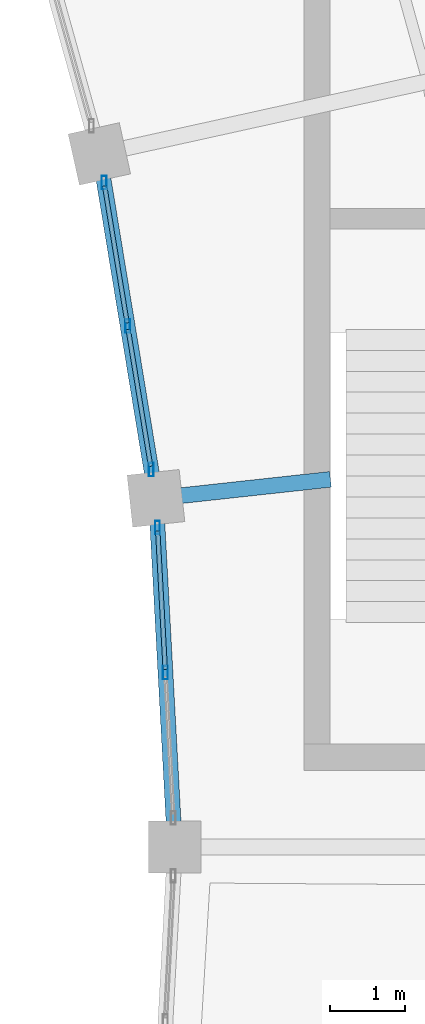
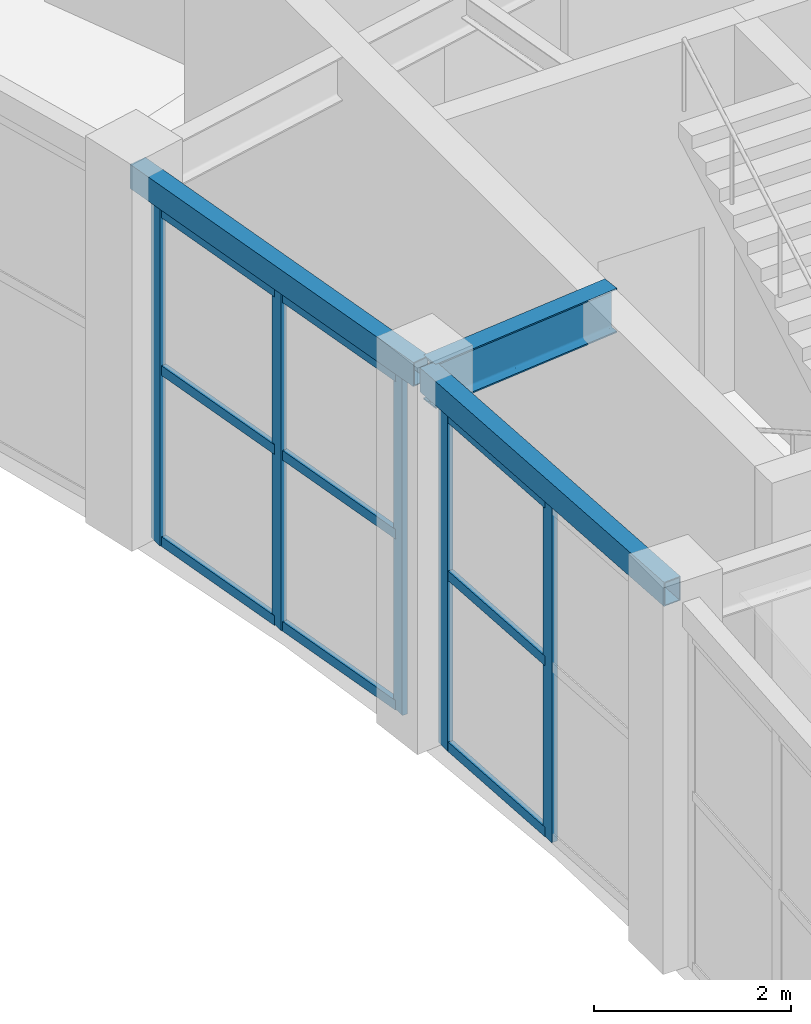
# One storey, part 58 of 100: 14 members, 3 beams, 2 elements without a shape of their own.
"""IFC4 building model written with IfcOpenShell, lengths in metres."""

from ifc_helpers import new_model, si_unit, direction, frame, origin, origin_2d, place, context, subcontext, project, spatial, hollow_rectangle, i_section, extrude, material, material_profile, profile_set, type_object, element, aggregate, save


model = new_model("IFC4")

# Units and contexts
model_context = context("Model", 3, precision=1e-05, world=origin(), true_north=direction((0.0, 1.0)))
body_context = subcontext(model_context, "Body", "Model", "MODEL_VIEW")
ifc_project = project(units=[si_unit("LENGTHUNIT", "METRE"), si_unit("AREAUNIT", "SQUARE_METRE"), si_unit("VOLUMEUNIT", "CUBIC_METRE"), si_unit("PLANEANGLEUNIT", "RADIAN"), si_unit("MASSUNIT", "GRAM", prefix="KILO")], contexts=[model_context])

# Site, building, storey
site_placement = place(None, origin())
site = spatial("IfcSite", under=ifc_project, at=site_placement, CompositionType="ELEMENT")
building_placement = place(site_placement, origin())
building = spatial("IfcBuilding", under=site, at=building_placement, Name="Tarnveldt Headland Concert Hall", CompositionType="ELEMENT")
storey_placement = place(building_placement, frame((0.0, 0.0, 4.800048828125)))
storey = spatial("IfcBuildingStorey", under=building, at=storey_placement, Name="L01", CompositionType="ELEMENT", Elevation=4.800048828125)

# Curtain wall, members
ifc_material_1 = material(Name="Marine-anodised aluminium EN AW-6063-T6", Category="aluminium")
curtain_wall_type = type_object("IfcCurtainWallType", Name="CW-C2", PredefinedType="NOTDEFINED", material=ifc_material_1)
curtain_wall_1_placement = place(storey_placement, origin())
curtain_wall_1 = element("IfcCurtainWall", 1, at=curtain_wall_1_placement, inside=storey, type_object=curtain_wall_type, Name="Curtain wall CW-L01-114", PredefinedType="NOTDEFINED")
ifc_material_profile_1 = material_profile(ifc_material_1, hollow_rectangle(XDim=0.06494140625, YDim=0.179931640625, WallThickness=0.00390625, at=origin_2d()), Name="ALU MULLION 65x180x4", Category="aluminium")
ifc_profile_set_1 = profile_set([ifc_material_profile_1], Name="Marine-anodised aluminium EN AW-6063-T6")
member_type_1 = type_object("IfcMemberType", Name="ML-180", PredefinedType="MULLION", material=ifc_profile_set_1)
member_1_placement = place(storey_placement, frame((160.373291015625, 62.330322265625, 0.0), z_axis=(0.0, 0.0, 1.0), x_axis=(1.0, 0.0, 0.0)))
member_1 = element("IfcMember", 2, at=member_1_placement, type_object=member_type_1, Name="Mullion CW-L01-114-2", PredefinedType="MULLION", context=body_context, shape_type="SweptSolid", body=[
    extrude(hollow_rectangle(XDim=0.06494140625, YDim=0.179931640625, WallThickness=0.00390625, at=origin_2d()), origin(), (0.0, 0.0, 1.0), 4.179931640625),
])
member_2_placement = place(storey_placement, frame((160.267822265625, 64.271240234375, 0.0), z_axis=(0.0, 0.0, 1.0), x_axis=(1.0, 0.0, 0.0)))
member_2 = element("IfcMember", 3, at=member_2_placement, type_object=member_type_1, Name="Mullion CW-L01-114-3", PredefinedType="MULLION", context=body_context, shape_type="SweptSolid", body=[
    extrude(hollow_rectangle(XDim=0.06494140625, YDim=0.179931640625, WallThickness=0.00390625, at=origin_2d()), origin(), (0.0, 0.0, 1.0), 4.179931640625),
])

curtain_wall_2_placement = place(storey_placement, origin())
curtain_wall_2 = element("IfcCurtainWall", 4, at=curtain_wall_2_placement, inside=storey, type_object=curtain_wall_type, Name="Curtain wall CW-L01-115", PredefinedType="NOTDEFINED")
member_3_placement = place(storey_placement, frame((160.183349609375, 65.04541015625, 0.0), z_axis=(0.0, 0.0, 1.0), x_axis=(1.0, 0.0, 0.0)))
member_3 = element("IfcMember", 5, at=member_3_placement, type_object=member_type_1, Name="Mullion CW-L01-115-1", PredefinedType="MULLION", context=body_context, shape_type="SweptSolid", body=[
    extrude(hollow_rectangle(XDim=0.06494140625, YDim=0.179931640625, WallThickness=0.00390625, at=origin_2d()), origin(), (0.0, 0.0, 1.0), 4.179931640625),
])
member_4_placement = place(storey_placement, frame((159.8681640625, 66.96337890625, 0.0), z_axis=(0.0, 0.0, 1.0), x_axis=(1.0, 0.0, 0.0)))
member_4 = element("IfcMember", 6, at=member_4_placement, type_object=member_type_1, Name="Mullion CW-L01-115-2", PredefinedType="MULLION", context=body_context, shape_type="SweptSolid", body=[
    extrude(hollow_rectangle(XDim=0.06494140625, YDim=0.179931640625, WallThickness=0.00390625, at=origin_2d()), origin(), (0.0, 0.0, 1.0), 4.179931640625),
])
member_5_placement = place(storey_placement, frame((159.552978515625, 68.88134765625, 0.0), z_axis=(0.0, 0.0, 1.0), x_axis=(1.0, 0.0, 0.0)))
member_5 = element("IfcMember", 7, at=member_5_placement, type_object=member_type_1, Name="Mullion CW-L01-115-3", PredefinedType="MULLION", context=body_context, shape_type="SweptSolid", body=[
    extrude(hollow_rectangle(XDim=0.06494140625, YDim=0.179931640625, WallThickness=0.00390625, at=origin_2d()), origin(), (0.0, 0.0, 1.0), 4.179931640625),
])

# Beams
ifc_material_2 = material(Name="Steel S355", Category="steel")
ifc_material_profile_2 = material_profile(ifc_material_2, i_section(OverallWidth=0.2099609375, OverallDepth=0.550048828125, WebThickness=0.010986328125, FlangeThickness=0.01708984375, FilletRadius=0.02392578125, at=origin_2d()), Name="IPE550", Category="steel")
ifc_profile_set_2 = profile_set([ifc_material_profile_2], Name="Steel S355")
beam_type_1 = type_object("IfcBeamType", Name="SB-IPE550", PredefinedType="BEAM", material=ifc_profile_set_2)
beam_1_placement = place(storey_placement, frame((160.306396484375, 64.6669921875, 4.264892578125), z_axis=(0.994101758136, 0.108451346104, 0.0), x_axis=(-0.108451346104, 0.994101758136, 0.0)))
element("IfcBeam", 8, at=beam_1_placement, inside=storey, type_object=beam_type_1, Name="Framing beam L01-805", PredefinedType="BEAM", context=body_context, shape_type="SweptSolid", body=[
    extrude(i_section(OverallWidth=0.2099609375, OverallDepth=0.550048828125, WebThickness=0.010986328125, FlangeThickness=0.01708984375, FilletRadius=0.02392578125, at=origin_2d()), origin(), (0.0, 0.0, 1.0), 2.287109375),
])
ifc_material_profile_3 = material_profile(ifc_material_2, hollow_rectangle(XDim=0.199951171875, YDim=0.300048828125, WallThickness=0.012451171875, at=origin_2d()), Name="RHS 300x200x12.5", Category="steel")
ifc_profile_set_3 = profile_set([ifc_material_profile_3], Name="Steel S355")
beam_type_2 = type_object("IfcBeamType", Name="SB-RHS300", PredefinedType="SPANDREL", material=ifc_profile_set_3)
beam_2_placement = place(storey_placement, frame((160.49658203125, 60.059814453125, 4.389892578125), z_axis=(-0.05422410232, 0.998528791136, 0.0), x_axis=(-0.998528791136, -0.05422410232, 0.0)))
element("IfcBeam", 9, at=beam_2_placement, inside=storey, type_object=beam_type_2, Name="Framing beam L01-800", PredefinedType="SPANDREL", context=body_context, shape_type="SweptSolid", body=[
    extrude(hollow_rectangle(XDim=0.199951171875, YDim=0.300048828125, WallThickness=0.012451171875, at=origin_2d()), origin(), (0.0, 0.0, 1.0), 4.54736328125),
])
beam_3_placement = place(storey_placement, frame((160.237060546875, 64.7197265625, 4.389892578125), z_axis=(-0.162187266023, 0.986759996524, 0.0), x_axis=(-0.986759996524, -0.162187266023, 0.0)))
element("IfcBeam", 10, at=beam_3_placement, inside=storey, type_object=beam_type_2, Name="Framing beam L01-807", PredefinedType="SPANDREL", context=body_context, shape_type="SweptSolid", body=[
    extrude(hollow_rectangle(XDim=0.199951171875, YDim=0.300048828125, WallThickness=0.012451171875, at=origin_2d()), origin(), (0.0, 0.0, 1.0), 4.547607421875),
])

# Member
ifc_material_profile_4 = material_profile(ifc_material_1, hollow_rectangle(XDim=0.06005859375, YDim=0.1201171875, WallThickness=0.00390625, at=origin_2d()), Name="ALU TRANSOM 60x120x4", Category="aluminium")
ifc_profile_set_4 = profile_set([ifc_material_profile_4], Name="Marine-anodised aluminium EN AW-6063-T6")
member_type_2 = type_object("IfcMemberType", Name="TR-110", PredefinedType="MEMBER", material=ifc_profile_set_4)
member_6_placement = place(storey_placement, frame((160.370849609375, 62.374755859375, 0.050048828125), z_axis=(-0.054230650598, 0.998528435517, 0.0), x_axis=(-0.998528435517, -0.054230650598, 0.0)))
member_6 = element("IfcMember", 11, at=member_6_placement, type_object=member_type_2, Name="Transom CW-L01-114-2-1", PredefinedType="MEMBER", context=body_context, shape_type="SweptSolid", body=[
    extrude(hollow_rectangle(XDim=0.06005859375, YDim=0.1201171875, WallThickness=0.00390625, at=origin_2d()), origin(), (0.0, 0.0, 1.0), 1.854736328125),
])

member_7_placement = place(storey_placement, frame((160.370849609375, 62.374755859375, 2.173583984375), z_axis=(-0.054230650598, 0.998528435517, 0.0), x_axis=(-0.998528435517, -0.054230650598, 0.0)))
member_7 = element("IfcMember", 12, at=member_7_placement, type_object=member_type_2, Name="Transom CW-L01-114-2-2", PredefinedType="MEMBER", context=body_context, shape_type="SweptSolid", body=[
    extrude(hollow_rectangle(XDim=0.06005859375, YDim=0.1201171875, WallThickness=0.00390625, at=origin_2d()), origin(), (0.0, 0.0, 1.0), 1.854736328125),
])

member_8_placement = place(storey_placement, frame((160.370849609375, 62.374755859375, 4.1298828125), z_axis=(-0.054230650598, 0.998528435517, 0.0), x_axis=(-0.998528435517, -0.054230650598, 0.0)))
member_8 = element("IfcMember", 13, at=member_8_placement, type_object=member_type_2, Name="Transom CW-L01-114-2-3", PredefinedType="MEMBER", context=body_context, shape_type="SweptSolid", body=[
    extrude(hollow_rectangle(XDim=0.06005859375, YDim=0.1201171875, WallThickness=0.00390625, at=origin_2d()), origin(), (0.0, 0.0, 1.0), 1.854736328125),
])

aggregate(curtain_wall_1, [member_1, member_2, member_6, member_7, member_8])

member_9_placement = place(storey_placement, frame((160.17626953125, 65.08935546875, 0.050048828125), z_axis=(-0.162178507112, 0.986761436129, 0.0), x_axis=(-0.986761436129, -0.162178507112, 0.0)))
member_9 = element("IfcMember", 14, at=member_9_placement, type_object=member_type_2, Name="Transom CW-L01-115-1-1", PredefinedType="MEMBER", context=body_context, shape_type="SweptSolid", body=[
    extrude(hollow_rectangle(XDim=0.06005859375, YDim=0.1201171875, WallThickness=0.00390625, at=origin_2d()), origin(), (0.0, 0.0, 1.0), 1.854736328125),
])

member_10_placement = place(storey_placement, frame((160.17626953125, 65.08935546875, 2.173583984375), z_axis=(-0.162178507112, 0.986761436129, 0.0), x_axis=(-0.986761436129, -0.162178507112, 0.0)))
member_10 = element("IfcMember", 15, at=member_10_placement, type_object=member_type_2, Name="Transom CW-L01-115-1-2", PredefinedType="MEMBER", context=body_context, shape_type="SweptSolid", body=[
    extrude(hollow_rectangle(XDim=0.06005859375, YDim=0.1201171875, WallThickness=0.00390625, at=origin_2d()), origin(), (0.0, 0.0, 1.0), 1.854736328125),
])

member_11_placement = place(storey_placement, frame((160.17626953125, 65.08935546875, 4.1298828125), z_axis=(-0.162178507112, 0.986761436129, 0.0), x_axis=(-0.986761436129, -0.162178507112, 0.0)))
member_11 = element("IfcMember", 16, at=member_11_placement, type_object=member_type_2, Name="Transom CW-L01-115-1-3", PredefinedType="MEMBER", context=body_context, shape_type="SweptSolid", body=[
    extrude(hollow_rectangle(XDim=0.06005859375, YDim=0.1201171875, WallThickness=0.00390625, at=origin_2d()), origin(), (0.0, 0.0, 1.0), 1.854736328125),
])

member_12_placement = place(storey_placement, frame((159.861083984375, 67.00732421875, 0.050048828125), z_axis=(-0.162178507112, 0.986761436129, 0.0), x_axis=(-0.986761436129, -0.162178507112, 0.0)))
member_12 = element("IfcMember", 17, at=member_12_placement, type_object=member_type_2, Name="Transom CW-L01-115-2-1", PredefinedType="MEMBER", context=body_context, shape_type="SweptSolid", body=[
    extrude(hollow_rectangle(XDim=0.06005859375, YDim=0.1201171875, WallThickness=0.00390625, at=origin_2d()), origin(), (0.0, 0.0, 1.0), 1.854736328125),
])

member_13_placement = place(storey_placement, frame((159.861083984375, 67.00732421875, 2.173583984375), z_axis=(-0.162178507112, 0.986761436129, 0.0), x_axis=(-0.986761436129, -0.162178507112, 0.0)))
member_13 = element("IfcMember", 18, at=member_13_placement, type_object=member_type_2, Name="Transom CW-L01-115-2-2", PredefinedType="MEMBER", context=body_context, shape_type="SweptSolid", body=[
    extrude(hollow_rectangle(XDim=0.06005859375, YDim=0.1201171875, WallThickness=0.00390625, at=origin_2d()), origin(), (0.0, 0.0, 1.0), 1.854736328125),
])

member_14_placement = place(storey_placement, frame((159.861083984375, 67.00732421875, 4.1298828125), z_axis=(-0.162178507112, 0.986761436129, 0.0), x_axis=(-0.986761436129, -0.162178507112, 0.0)))
member_14 = element("IfcMember", 19, at=member_14_placement, type_object=member_type_2, Name="Transom CW-L01-115-2-3", PredefinedType="MEMBER", context=body_context, shape_type="SweptSolid", body=[
    extrude(hollow_rectangle(XDim=0.06005859375, YDim=0.1201171875, WallThickness=0.00390625, at=origin_2d()), origin(), (0.0, 0.0, 1.0), 1.854736328125),
])

aggregate(curtain_wall_2, [member_3, member_4, member_5, member_9, member_10, member_11, member_12, member_13, member_14])

save(model, "model.ifc")
